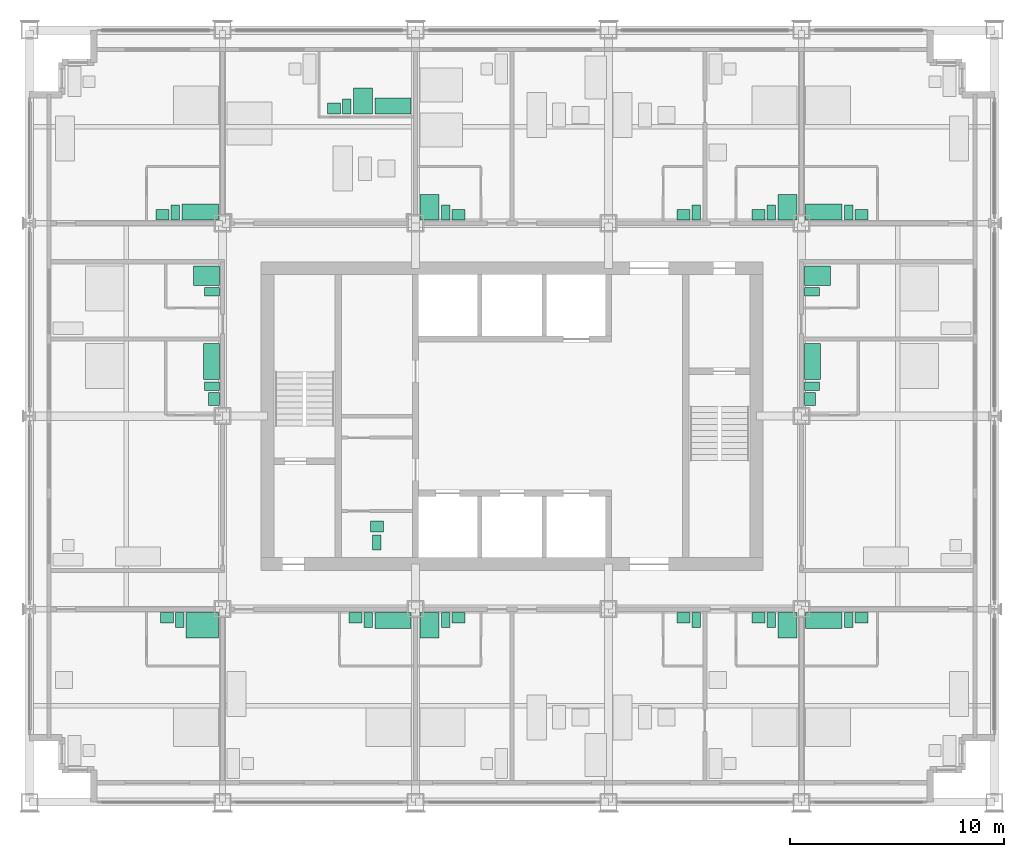
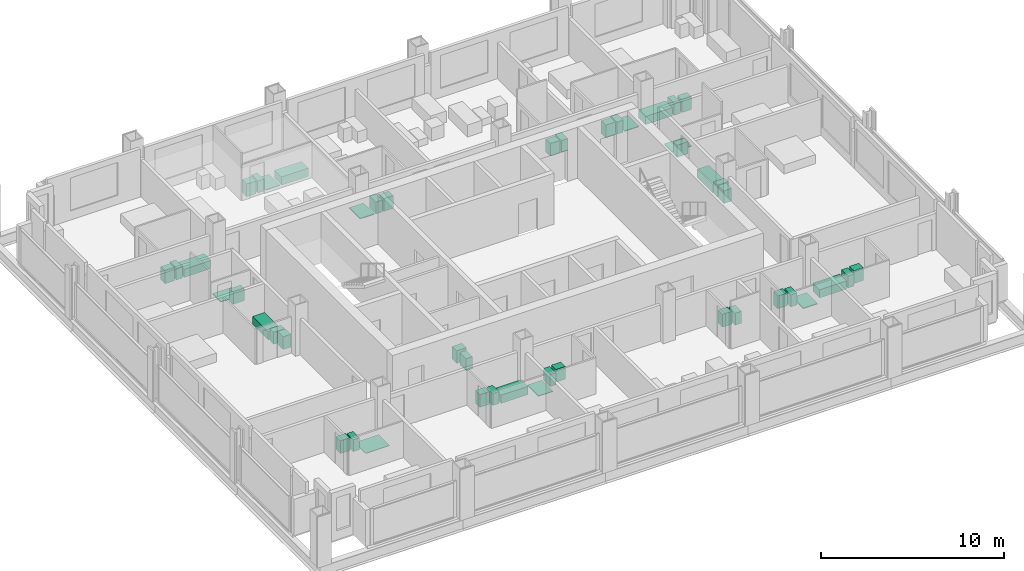
# One storey, part 15 of 16: 47 sanitary terminals.
"""IFC4 building model written with IfcOpenShell, lengths in metres."""

from ifc_helpers import new_model, si_unit, direction, frame, origin, origin_2d, place, context, subcontext, project, spatial, rectangle, extrude, element, save


model = new_model("IFC4")

# Units and contexts
model_context = context("Model", 3, precision=1e-05, world=origin(), true_north=direction((0.0, 1.0)))
body_context = subcontext(model_context, "Body", "Model", "MODEL_VIEW")
ifc_project = project(units=[si_unit("LENGTHUNIT", "METRE"), si_unit("AREAUNIT", "SQUARE_METRE"), si_unit("VOLUMEUNIT", "CUBIC_METRE"), si_unit("PLANEANGLEUNIT", "RADIAN"), si_unit("MASSUNIT", "GRAM", prefix="KILO")], contexts=[model_context])

# Site, building, storey
site_placement = place(None, origin())
site = spatial("IfcSite", under=ifc_project, at=site_placement, CompositionType="ELEMENT")
building_placement = place(site_placement, origin())
building = spatial("IfcBuilding", under=site, at=building_placement, Name="Loomwork Tower", CompositionType="ELEMENT")
storey_placement = place(building_placement, frame((0.0, 0.0, 148.60009765625)))
storey = spatial("IfcBuildingStorey", under=building, at=storey_placement, Name="L40", CompositionType="ELEMENT", Elevation=148.60009765625)

# Sanitary terminals
sanitary_terminal_1_placement = place(storey_placement, frame((8.050048828125, 8.25, 0.0), z_axis=(0.0, 0.0, 1.0), x_axis=(1.0, 0.0, 0.0)))
element("IfcSanitaryTerminal", 1, at=sanitary_terminal_1_placement, inside=storey, Name="Roll-in shower floor L40", PredefinedType="SHOWER", context=body_context, shape_type="SweptSolid", body=[
    extrude(rectangle(XDim=1.5, YDim=1.199951171875, at=origin_2d()), origin(), (0.0, 0.0, 1.0), 0.030029296875),
])
sanitary_terminal_2_placement = place(storey_placement, frame((7.0, 8.5, 0.0), z_axis=(0.0, 0.0, 1.0), x_axis=(1.0, 0.0, 0.0)))
element("IfcSanitaryTerminal", 2, at=sanitary_terminal_2_placement, inside=storey, Name="WC L40", PredefinedType="TOILETPAN", context=body_context, shape_type="SweptSolid", body=[
    extrude(rectangle(XDim=0.39990234375, YDim=0.699951171875, at=origin_2d()), origin(), (0.0, 0.0, 1.0), 0.800048828125),
])
sanitary_terminal_3_placement = place(storey_placement, frame((6.39990234375, 8.60009765625, -0.000244140625), z_axis=(0.0, 0.0, 1.0), x_axis=(1.0, 0.0, 0.0)))
element("IfcSanitaryTerminal", 3, at=sanitary_terminal_3_placement, inside=storey, Name="Basin vanity L40", PredefinedType="WASHHANDBASIN", context=body_context, shape_type="SweptSolid", body=[
    extrude(rectangle(XDim=0.60009765625, YDim=0.5, at=origin_2d()), origin(), (0.0, 0.0, 1.0), 0.85009765625),
])
sanitary_terminal_4_placement = place(storey_placement, frame((16.949951171875, 8.47509765625, 0.0), z_axis=(0.0, 0.0, 1.0), x_axis=(1.0, 0.0, 0.0)))
element("IfcSanitaryTerminal", 4, at=sanitary_terminal_4_placement, inside=storey, Name="Bath L40", PredefinedType="BATH", context=body_context, shape_type="SweptSolid", body=[
    extrude(rectangle(XDim=1.699951171875, YDim=0.75, at=origin_2d()), origin(), (0.0, 0.0, 1.0), 0.550048828125),
])
sanitary_terminal_5_placement = place(storey_placement, frame((15.800048828125, 8.5, 0.0), z_axis=(0.0, 0.0, 1.0), x_axis=(1.0, 0.0, 0.0)))
element("IfcSanitaryTerminal", 5, at=sanitary_terminal_5_placement, inside=storey, Name="WC L40", PredefinedType="TOILETPAN", context=body_context, shape_type="SweptSolid", body=[
    extrude(rectangle(XDim=0.39990234375, YDim=0.699951171875, at=origin_2d()), origin(), (0.0, 0.0, 1.0), 0.800048828125),
])
sanitary_terminal_6_placement = place(storey_placement, frame((15.199951171875, 8.60009765625, -0.000244140625), z_axis=(0.0, 0.0, 1.0), x_axis=(1.0, 0.0, 0.0)))
element("IfcSanitaryTerminal", 6, at=sanitary_terminal_6_placement, inside=storey, Name="Basin vanity L40", PredefinedType="WASHHANDBASIN", context=body_context, shape_type="SweptSolid", body=[
    extrude(rectangle(XDim=0.60009765625, YDim=0.5, at=origin_2d()), origin(), (0.0, 0.0, 1.0), 0.85009765625),
])
sanitary_terminal_7_placement = place(storey_placement, frame((18.64990234375, 8.25, 0.0), z_axis=(0.0, 0.0, 1.0), x_axis=(1.0, 0.0, 0.0)))
element("IfcSanitaryTerminal", 7, at=sanitary_terminal_7_placement, inside=storey, Name="Shower tray L40", PredefinedType="SHOWER", context=body_context, shape_type="SweptSolid", body=[
    extrude(rectangle(XDim=0.89990234375, YDim=1.199951171875, at=origin_2d()), origin(), (0.0, 0.0, 1.0), 0.050048828125),
])
sanitary_terminal_8_placement = place(storey_placement, frame((19.39990234375, 8.5, 0.0), z_axis=(0.0, 0.0, 1.0), x_axis=(1.0, 0.0, 0.0)))
element("IfcSanitaryTerminal", 8, at=sanitary_terminal_8_placement, inside=storey, Name="WC L40", PredefinedType="TOILETPAN", context=body_context, shape_type="SweptSolid", body=[
    extrude(rectangle(XDim=0.39990234375, YDim=0.699951171875, at=origin_2d()), origin(), (0.0, 0.0, 1.0), 0.800048828125),
])
sanitary_terminal_9_placement = place(storey_placement, frame((20.0, 8.60009765625, -0.000244140625), z_axis=(0.0, 0.0, 1.0), x_axis=(1.0, 0.0, 0.0)))
element("IfcSanitaryTerminal", 9, at=sanitary_terminal_9_placement, inside=storey, Name="Basin vanity L40", PredefinedType="WASHHANDBASIN", context=body_context, shape_type="SweptSolid", body=[
    extrude(rectangle(XDim=0.60009765625, YDim=0.5, at=origin_2d()), origin(), (0.0, 0.0, 1.0), 0.85009765625),
])
sanitary_terminal_10_placement = place(storey_placement, frame((31.10009765625, 8.5, 0.0), z_axis=(0.0, 0.0, 1.0), x_axis=(1.0, 0.0, 0.0)))
element("IfcSanitaryTerminal", 10, at=sanitary_terminal_10_placement, inside=storey, Name="WC L40", PredefinedType="TOILETPAN", context=body_context, shape_type="SweptSolid", body=[
    extrude(rectangle(XDim=0.39990234375, YDim=0.699951171875, at=origin_2d()), origin(), (0.0, 0.0, 1.0), 0.800048828125),
])
sanitary_terminal_11_placement = place(storey_placement, frame((30.5, 8.60009765625, -0.000244140625), z_axis=(0.0, 0.0, 1.0), x_axis=(1.0, 0.0, 0.0)))
element("IfcSanitaryTerminal", 11, at=sanitary_terminal_11_placement, inside=storey, Name="Basin vanity L40", PredefinedType="WASHHANDBASIN", context=body_context, shape_type="SweptSolid", body=[
    extrude(rectangle(XDim=0.60009765625, YDim=0.5, at=origin_2d()), origin(), (0.0, 0.0, 1.0), 0.85009765625),
])
sanitary_terminal_12_placement = place(storey_placement, frame((35.35009765625, 8.25, 0.0), z_axis=(0.0, 0.0, 1.0), x_axis=(1.0, 0.0, 0.0)))
element("IfcSanitaryTerminal", 12, at=sanitary_terminal_12_placement, inside=storey, Name="Shower tray L40", PredefinedType="SHOWER", context=body_context, shape_type="SweptSolid", body=[
    extrude(rectangle(XDim=0.89990234375, YDim=1.199951171875, at=origin_2d()), origin(), (0.0, 0.0, 1.0), 0.050048828125),
])
sanitary_terminal_13_placement = place(storey_placement, frame((34.60009765625, 8.5, 0.0), z_axis=(0.0, 0.0, 1.0), x_axis=(1.0, 0.0, 0.0)))
element("IfcSanitaryTerminal", 13, at=sanitary_terminal_13_placement, inside=storey, Name="WC L40", PredefinedType="TOILETPAN", context=body_context, shape_type="SweptSolid", body=[
    extrude(rectangle(XDim=0.39990234375, YDim=0.699951171875, at=origin_2d()), origin(), (0.0, 0.0, 1.0), 0.800048828125),
])
sanitary_terminal_14_placement = place(storey_placement, frame((34.0, 8.60009765625, -0.000244140625), z_axis=(0.0, 0.0, 1.0), x_axis=(1.0, 0.0, 0.0)))
element("IfcSanitaryTerminal", 14, at=sanitary_terminal_14_placement, inside=storey, Name="Basin vanity L40", PredefinedType="WASHHANDBASIN", context=body_context, shape_type="SweptSolid", body=[
    extrude(rectangle(XDim=0.60009765625, YDim=0.5, at=origin_2d()), origin(), (0.0, 0.0, 1.0), 0.85009765625),
])
sanitary_terminal_15_placement = place(storey_placement, frame((37.050048828125, 8.47509765625, 0.0), z_axis=(0.0, 0.0, 1.0), x_axis=(1.0, 0.0, 0.0)))
element("IfcSanitaryTerminal", 15, at=sanitary_terminal_15_placement, inside=storey, Name="Bath L40", PredefinedType="BATH", context=body_context, shape_type="SweptSolid", body=[
    extrude(rectangle(XDim=1.699951171875, YDim=0.75, at=origin_2d()), origin(), (0.0, 0.0, 1.0), 0.550048828125),
])
sanitary_terminal_16_placement = place(storey_placement, frame((38.199951171875, 8.5, 0.0), z_axis=(0.0, 0.0, 1.0), x_axis=(1.0, 0.0, 0.0)))
element("IfcSanitaryTerminal", 16, at=sanitary_terminal_16_placement, inside=storey, Name="WC L40", PredefinedType="TOILETPAN", context=body_context, shape_type="SweptSolid", body=[
    extrude(rectangle(XDim=0.39990234375, YDim=0.699951171875, at=origin_2d()), origin(), (0.0, 0.0, 1.0), 0.800048828125),
])
sanitary_terminal_17_placement = place(storey_placement, frame((38.800048828125, 8.60009765625, -0.000244140625), z_axis=(0.0, 0.0, 1.0), x_axis=(1.0, 0.0, 0.0)))
element("IfcSanitaryTerminal", 17, at=sanitary_terminal_17_placement, inside=storey, Name="Basin vanity L40", PredefinedType="WASHHANDBASIN", context=body_context, shape_type="SweptSolid", body=[
    extrude(rectangle(XDim=0.60009765625, YDim=0.5, at=origin_2d()), origin(), (0.0, 0.0, 1.0), 0.85009765625),
])
sanitary_terminal_18_placement = place(storey_placement, frame((7.949951171875, 27.52490234375, 0.0), z_axis=(0.0, 0.0, 1.0), x_axis=(1.0, 0.0, 0.0)))
element("IfcSanitaryTerminal", 18, at=sanitary_terminal_18_placement, inside=storey, Name="Bath L40", PredefinedType="BATH", context=body_context, shape_type="SweptSolid", body=[
    extrude(rectangle(XDim=1.699951171875, YDim=0.75, at=origin_2d()), origin(), (0.0, 0.0, 1.0), 0.550048828125),
])
sanitary_terminal_19_placement = place(storey_placement, frame((6.800048828125, 27.5, 0.0), z_axis=(0.0, 0.0, 1.0), x_axis=(1.0, 0.0, 0.0)))
element("IfcSanitaryTerminal", 19, at=sanitary_terminal_19_placement, inside=storey, Name="WC L40", PredefinedType="TOILETPAN", context=body_context, shape_type="SweptSolid", body=[
    extrude(rectangle(XDim=0.39990234375, YDim=0.699951171875, at=origin_2d()), origin(), (0.0, 0.0, 1.0), 0.800048828125),
])
sanitary_terminal_20_placement = place(storey_placement, frame((6.199951171875, 27.39990234375, -0.000244140625), z_axis=(0.0, 0.0, 1.0), x_axis=(1.0, 0.0, 0.0)))
element("IfcSanitaryTerminal", 20, at=sanitary_terminal_20_placement, inside=storey, Name="Basin vanity L40", PredefinedType="WASHHANDBASIN", context=body_context, shape_type="SweptSolid", body=[
    extrude(rectangle(XDim=0.60009765625, YDim=0.5, at=origin_2d()), origin(), (0.0, 0.0, 1.0), 0.85009765625),
])
sanitary_terminal_21_placement = place(storey_placement, frame((16.949951171875, 32.47509765625, 0.0), z_axis=(0.0, 0.0, 1.0), x_axis=(1.0, 0.0, 0.0)))
element("IfcSanitaryTerminal", 21, at=sanitary_terminal_21_placement, inside=storey, Name="Bath L40", PredefinedType="BATH", context=body_context, shape_type="SweptSolid", body=[
    extrude(rectangle(XDim=1.699951171875, YDim=0.75, at=origin_2d()), origin(), (0.0, 0.0, 1.0), 0.550048828125),
])
sanitary_terminal_22_placement = place(storey_placement, frame((15.550048828125, 32.699951171875, 0.0), z_axis=(0.0, 0.0, 1.0), x_axis=(1.0, 0.0, 0.0)))
element("IfcSanitaryTerminal", 22, at=sanitary_terminal_22_placement, inside=storey, Name="Shower tray L40", PredefinedType="SHOWER", context=body_context, shape_type="SweptSolid", body=[
    extrude(rectangle(XDim=0.89990234375, YDim=1.199951171875, at=origin_2d()), origin(), (0.0, 0.0, 1.0), 0.050048828125),
])
sanitary_terminal_23_placement = place(storey_placement, frame((14.800048828125, 32.449951171875, 0.0), z_axis=(0.0, 0.0, 1.0), x_axis=(1.0, 0.0, 0.0)))
element("IfcSanitaryTerminal", 23, at=sanitary_terminal_23_placement, inside=storey, Name="WC L40", PredefinedType="TOILETPAN", context=body_context, shape_type="SweptSolid", body=[
    extrude(rectangle(XDim=0.39990234375, YDim=0.699951171875, at=origin_2d()), origin(), (0.0, 0.0, 1.0), 0.800048828125),
])
sanitary_terminal_24_placement = place(storey_placement, frame((14.199951171875, 32.35009765625, -0.000244140625), z_axis=(0.0, 0.0, 1.0), x_axis=(1.0, 0.0, 0.0)))
element("IfcSanitaryTerminal", 24, at=sanitary_terminal_24_placement, inside=storey, Name="Basin vanity L40", PredefinedType="WASHHANDBASIN", context=body_context, shape_type="SweptSolid", body=[
    extrude(rectangle(XDim=0.60009765625, YDim=0.5, at=origin_2d()), origin(), (0.0, 0.0, 1.0), 0.85009765625),
])
sanitary_terminal_25_placement = place(storey_placement, frame((18.64990234375, 27.75, 0.0), z_axis=(0.0, 0.0, 1.0), x_axis=(1.0, 0.0, 0.0)))
element("IfcSanitaryTerminal", 25, at=sanitary_terminal_25_placement, inside=storey, Name="Shower tray L40", PredefinedType="SHOWER", context=body_context, shape_type="SweptSolid", body=[
    extrude(rectangle(XDim=0.89990234375, YDim=1.199951171875, at=origin_2d()), origin(), (0.0, 0.0, 1.0), 0.050048828125),
])
sanitary_terminal_26_placement = place(storey_placement, frame((19.39990234375, 27.5, 0.0), z_axis=(0.0, 0.0, 1.0), x_axis=(1.0, 0.0, 0.0)))
element("IfcSanitaryTerminal", 26, at=sanitary_terminal_26_placement, inside=storey, Name="WC L40", PredefinedType="TOILETPAN", context=body_context, shape_type="SweptSolid", body=[
    extrude(rectangle(XDim=0.39990234375, YDim=0.699951171875, at=origin_2d()), origin(), (0.0, 0.0, 1.0), 0.800048828125),
])
sanitary_terminal_27_placement = place(storey_placement, frame((20.0, 27.39990234375, -0.000244140625), z_axis=(0.0, 0.0, 1.0), x_axis=(1.0, 0.0, 0.0)))
element("IfcSanitaryTerminal", 27, at=sanitary_terminal_27_placement, inside=storey, Name="Basin vanity L40", PredefinedType="WASHHANDBASIN", context=body_context, shape_type="SweptSolid", body=[
    extrude(rectangle(XDim=0.60009765625, YDim=0.5, at=origin_2d()), origin(), (0.0, 0.0, 1.0), 0.85009765625),
])
sanitary_terminal_28_placement = place(storey_placement, frame((31.10009765625, 27.5, 0.0), z_axis=(0.0, 0.0, 1.0), x_axis=(1.0, 0.0, 0.0)))
element("IfcSanitaryTerminal", 28, at=sanitary_terminal_28_placement, inside=storey, Name="WC L40", PredefinedType="TOILETPAN", context=body_context, shape_type="SweptSolid", body=[
    extrude(rectangle(XDim=0.39990234375, YDim=0.699951171875, at=origin_2d()), origin(), (0.0, 0.0, 1.0), 0.800048828125),
])
sanitary_terminal_29_placement = place(storey_placement, frame((30.5, 27.39990234375, -0.000244140625), z_axis=(0.0, 0.0, 1.0), x_axis=(1.0, 0.0, 0.0)))
element("IfcSanitaryTerminal", 29, at=sanitary_terminal_29_placement, inside=storey, Name="Basin vanity L40", PredefinedType="WASHHANDBASIN", context=body_context, shape_type="SweptSolid", body=[
    extrude(rectangle(XDim=0.60009765625, YDim=0.5, at=origin_2d()), origin(), (0.0, 0.0, 1.0), 0.85009765625),
])
sanitary_terminal_30_placement = place(storey_placement, frame((35.35009765625, 27.75, 0.0), z_axis=(0.0, 0.0, 1.0), x_axis=(1.0, 0.0, 0.0)))
element("IfcSanitaryTerminal", 30, at=sanitary_terminal_30_placement, inside=storey, Name="Shower tray L40", PredefinedType="SHOWER", context=body_context, shape_type="SweptSolid", body=[
    extrude(rectangle(XDim=0.89990234375, YDim=1.199951171875, at=origin_2d()), origin(), (0.0, 0.0, 1.0), 0.050048828125),
])
sanitary_terminal_31_placement = place(storey_placement, frame((34.60009765625, 27.5, 0.0), z_axis=(0.0, 0.0, 1.0), x_axis=(1.0, 0.0, 0.0)))
element("IfcSanitaryTerminal", 31, at=sanitary_terminal_31_placement, inside=storey, Name="WC L40", PredefinedType="TOILETPAN", context=body_context, shape_type="SweptSolid", body=[
    extrude(rectangle(XDim=0.39990234375, YDim=0.699951171875, at=origin_2d()), origin(), (0.0, 0.0, 1.0), 0.800048828125),
])
sanitary_terminal_32_placement = place(storey_placement, frame((34.0, 27.39990234375, -0.000244140625), z_axis=(0.0, 0.0, 1.0), x_axis=(1.0, 0.0, 0.0)))
element("IfcSanitaryTerminal", 32, at=sanitary_terminal_32_placement, inside=storey, Name="Basin vanity L40", PredefinedType="WASHHANDBASIN", context=body_context, shape_type="SweptSolid", body=[
    extrude(rectangle(XDim=0.60009765625, YDim=0.5, at=origin_2d()), origin(), (0.0, 0.0, 1.0), 0.85009765625),
])
sanitary_terminal_33_placement = place(storey_placement, frame((37.050048828125, 27.52490234375, 0.0), z_axis=(0.0, 0.0, 1.0), x_axis=(1.0, 0.0, 0.0)))
element("IfcSanitaryTerminal", 33, at=sanitary_terminal_33_placement, inside=storey, Name="Bath L40", PredefinedType="BATH", context=body_context, shape_type="SweptSolid", body=[
    extrude(rectangle(XDim=1.699951171875, YDim=0.75, at=origin_2d()), origin(), (0.0, 0.0, 1.0), 0.550048828125),
])
sanitary_terminal_34_placement = place(storey_placement, frame((38.199951171875, 27.5, 0.0), z_axis=(0.0, 0.0, 1.0), x_axis=(1.0, 0.0, 0.0)))
element("IfcSanitaryTerminal", 34, at=sanitary_terminal_34_placement, inside=storey, Name="WC L40", PredefinedType="TOILETPAN", context=body_context, shape_type="SweptSolid", body=[
    extrude(rectangle(XDim=0.39990234375, YDim=0.699951171875, at=origin_2d()), origin(), (0.0, 0.0, 1.0), 0.800048828125),
])
sanitary_terminal_35_placement = place(storey_placement, frame((38.800048828125, 27.39990234375, -0.000244140625), z_axis=(0.0, 0.0, 1.0), x_axis=(1.0, 0.0, 0.0)))
element("IfcSanitaryTerminal", 35, at=sanitary_terminal_35_placement, inside=storey, Name="Basin vanity L40", PredefinedType="WASHHANDBASIN", context=body_context, shape_type="SweptSolid", body=[
    extrude(rectangle(XDim=0.60009765625, YDim=0.5, at=origin_2d()), origin(), (0.0, 0.0, 1.0), 0.85009765625),
])
sanitary_terminal_36_placement = place(storey_placement, frame((8.47509765625, 20.550048828125, 0.0), z_axis=(0.0, 0.0, 1.0), x_axis=(1.0, 0.0, 0.0)))
element("IfcSanitaryTerminal", 36, at=sanitary_terminal_36_placement, inside=storey, Name="Bath L40", PredefinedType="BATH", context=body_context, shape_type="SweptSolid", body=[
    extrude(rectangle(XDim=0.75, YDim=1.699951171875, at=origin_2d()), origin(), (0.0, 0.0, 1.0), 0.550048828125),
])
sanitary_terminal_37_placement = place(storey_placement, frame((8.5, 19.39990234375, 0.0), z_axis=(0.0, 0.0, 1.0), x_axis=(1.0, 0.0, 0.0)))
element("IfcSanitaryTerminal", 37, at=sanitary_terminal_37_placement, inside=storey, Name="WC L40", PredefinedType="TOILETPAN", context=body_context, shape_type="SweptSolid", body=[
    extrude(rectangle(XDim=0.699951171875, YDim=0.39990234375, at=origin_2d()), origin(), (0.0, 0.0, 1.0), 0.800048828125),
])
sanitary_terminal_38_placement = place(storey_placement, frame((8.60009765625, 18.800048828125, -0.000244140625), z_axis=(0.0, 0.0, 1.0), x_axis=(1.0, 0.0, 0.0)))
element("IfcSanitaryTerminal", 38, at=sanitary_terminal_38_placement, inside=storey, Name="Basin vanity L40", PredefinedType="WASHHANDBASIN", context=body_context, shape_type="SweptSolid", body=[
    extrude(rectangle(XDim=0.5, YDim=0.60009765625, at=origin_2d()), origin(), (0.0, 0.0, 1.0), 0.85009765625),
])
sanitary_terminal_39_placement = place(storey_placement, frame((8.25, 24.550048828125, 0.0), z_axis=(0.0, 0.0, 1.0), x_axis=(1.0, 0.0, 0.0)))
element("IfcSanitaryTerminal", 39, at=sanitary_terminal_39_placement, inside=storey, Name="Shower tray L40", PredefinedType="SHOWER", context=body_context, shape_type="SweptSolid", body=[
    extrude(rectangle(XDim=1.199951171875, YDim=0.89990234375, at=origin_2d()), origin(), (0.0, 0.0, 1.0), 0.050048828125),
])
sanitary_terminal_40_placement = place(storey_placement, frame((8.5, 23.800048828125, 0.0), z_axis=(0.0, 0.0, 1.0), x_axis=(1.0, 0.0, 0.0)))
element("IfcSanitaryTerminal", 40, at=sanitary_terminal_40_placement, inside=storey, Name="WC L40", PredefinedType="TOILETPAN", context=body_context, shape_type="SweptSolid", body=[
    extrude(rectangle(XDim=0.699951171875, YDim=0.39990234375, at=origin_2d()), origin(), (0.0, 0.0, 1.0), 0.800048828125),
])
sanitary_terminal_41_placement = place(storey_placement, frame((36.52490234375, 20.550048828125, 0.0), z_axis=(0.0, 0.0, 1.0), x_axis=(1.0, 0.0, 0.0)))
element("IfcSanitaryTerminal", 41, at=sanitary_terminal_41_placement, inside=storey, Name="Bath L40", PredefinedType="BATH", context=body_context, shape_type="SweptSolid", body=[
    extrude(rectangle(XDim=0.75, YDim=1.699951171875, at=origin_2d()), origin(), (0.0, 0.0, 1.0), 0.550048828125),
])
sanitary_terminal_42_placement = place(storey_placement, frame((36.5, 19.39990234375, 0.0), z_axis=(0.0, 0.0, 1.0), x_axis=(1.0, 0.0, 0.0)))
element("IfcSanitaryTerminal", 42, at=sanitary_terminal_42_placement, inside=storey, Name="WC L40", PredefinedType="TOILETPAN", context=body_context, shape_type="SweptSolid", body=[
    extrude(rectangle(XDim=0.699951171875, YDim=0.39990234375, at=origin_2d()), origin(), (0.0, 0.0, 1.0), 0.800048828125),
])
sanitary_terminal_43_placement = place(storey_placement, frame((36.39990234375, 18.800048828125, -0.000244140625), z_axis=(0.0, 0.0, 1.0), x_axis=(1.0, 0.0, 0.0)))
element("IfcSanitaryTerminal", 43, at=sanitary_terminal_43_placement, inside=storey, Name="Basin vanity L40", PredefinedType="WASHHANDBASIN", context=body_context, shape_type="SweptSolid", body=[
    extrude(rectangle(XDim=0.5, YDim=0.60009765625, at=origin_2d()), origin(), (0.0, 0.0, 1.0), 0.85009765625),
])
sanitary_terminal_44_placement = place(storey_placement, frame((36.75, 24.550048828125, 0.0), z_axis=(0.0, 0.0, 1.0), x_axis=(1.0, 0.0, 0.0)))
element("IfcSanitaryTerminal", 44, at=sanitary_terminal_44_placement, inside=storey, Name="Shower tray L40", PredefinedType="SHOWER", context=body_context, shape_type="SweptSolid", body=[
    extrude(rectangle(XDim=1.199951171875, YDim=0.89990234375, at=origin_2d()), origin(), (0.0, 0.0, 1.0), 0.050048828125),
])
sanitary_terminal_45_placement = place(storey_placement, frame((36.5, 23.800048828125, 0.0), z_axis=(0.0, 0.0, 1.0), x_axis=(1.0, 0.0, 0.0)))
element("IfcSanitaryTerminal", 45, at=sanitary_terminal_45_placement, inside=storey, Name="WC L40", PredefinedType="TOILETPAN", context=body_context, shape_type="SweptSolid", body=[
    extrude(rectangle(XDim=0.699951171875, YDim=0.39990234375, at=origin_2d()), origin(), (0.0, 0.0, 1.0), 0.800048828125),
])
sanitary_terminal_46_placement = place(storey_placement, frame((16.199951171875, 12.10009765625, 0.0), z_axis=(0.0, 0.0, 1.0), x_axis=(1.0, 0.0, 0.0)))
element("IfcSanitaryTerminal", 46, at=sanitary_terminal_46_placement, inside=storey, Name="WC L40", PredefinedType="TOILETPAN", context=body_context, shape_type="SweptSolid", body=[
    extrude(rectangle(XDim=0.39990234375, YDim=0.699951171875, at=origin_2d()), origin(), (0.0, 0.0, 1.0), 0.800048828125),
])
sanitary_terminal_47_placement = place(storey_placement, frame((16.199951171875, 12.85009765625, -0.000244140625), z_axis=(0.0, 0.0, 1.0), x_axis=(1.0, 0.0, 0.0)))
element("IfcSanitaryTerminal", 47, at=sanitary_terminal_47_placement, inside=storey, Name="Basin L40", PredefinedType="WASHHANDBASIN", context=body_context, shape_type="SweptSolid", body=[
    extrude(rectangle(XDim=0.60009765625, YDim=0.5, at=origin_2d()), origin(), (0.0, 0.0, 1.0), 0.85009765625),
])

save(model, "model.ifc")
